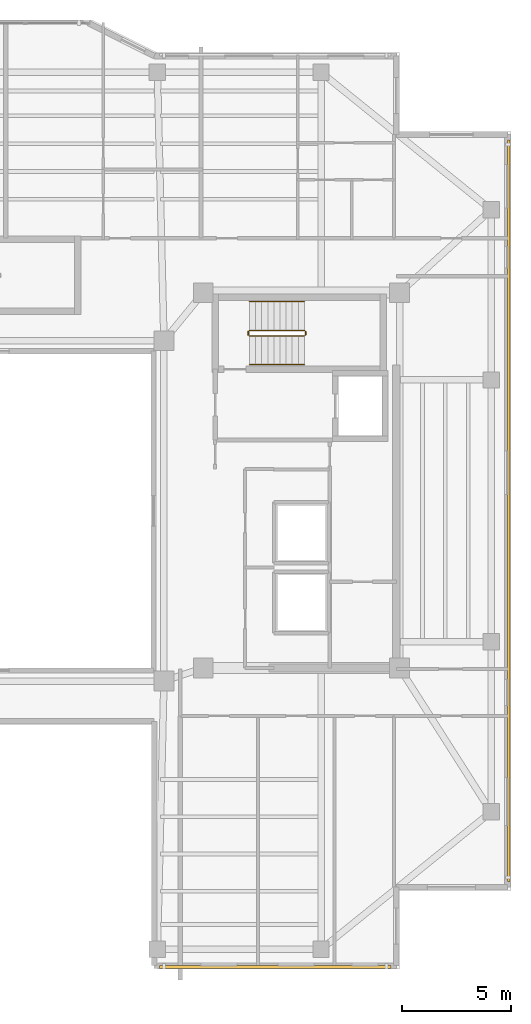
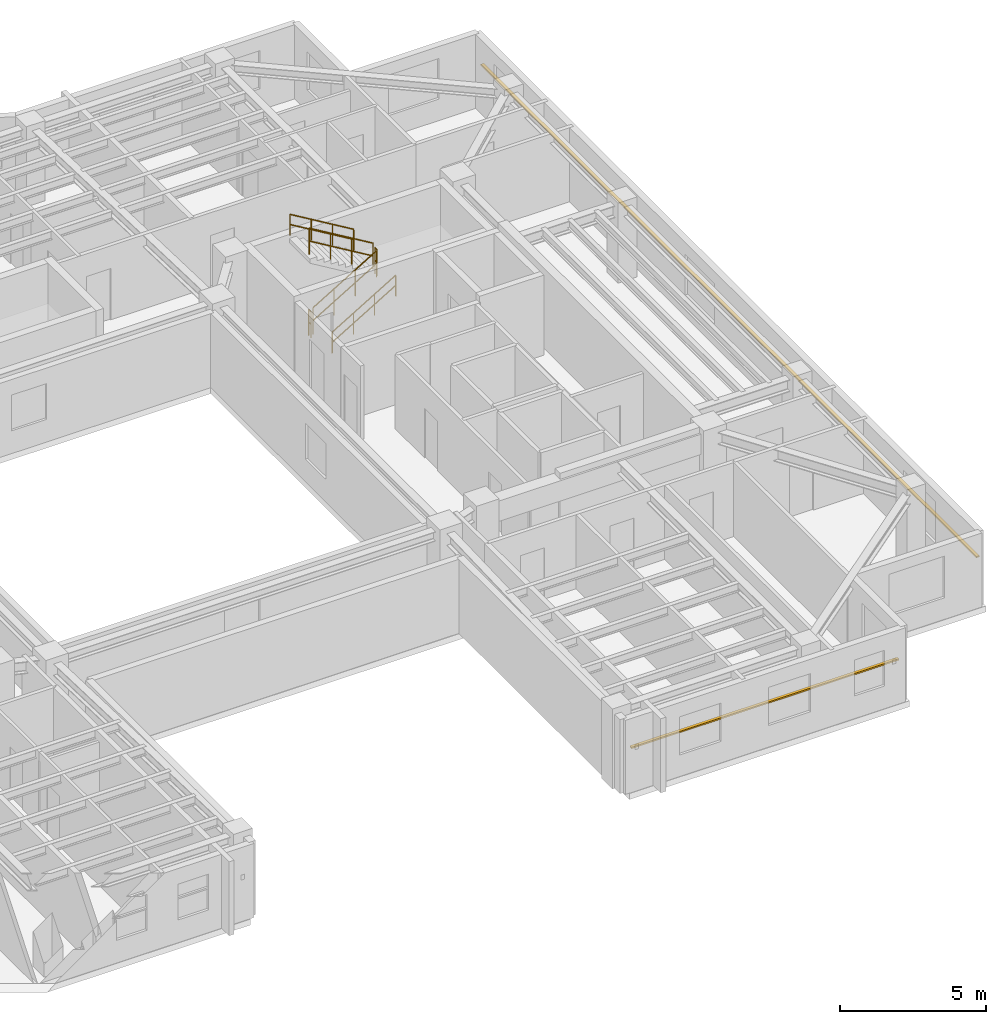
# One storey, part 10 of 11: 6 railings, 2 shading devices.
"""IFC4 building model written with IfcOpenShell, lengths in metres."""

from ifc_helpers import new_model, si_unit, direction, frame, origin, origin_2d, place, context, subcontext, project, spatial, rectangle, circle, extrude, material, material_profile, profile_set, type_object, element, save


model = new_model("IFC4")

# Units and contexts
model_context = context("Model", 3, precision=1e-05, world=origin(), true_north=direction((0.0, 1.0)))
body_context = subcontext(model_context, "Body", "Model", "MODEL_VIEW")
ifc_project = project(units=[si_unit("LENGTHUNIT", "METRE"), si_unit("AREAUNIT", "SQUARE_METRE"), si_unit("VOLUMEUNIT", "CUBIC_METRE"), si_unit("PLANEANGLEUNIT", "RADIAN"), si_unit("MASSUNIT", "GRAM", prefix="KILO")], contexts=[model_context])

# Site, building, storey
site_placement = place(None, origin())
site = spatial("IfcSite", under=ifc_project, at=site_placement, CompositionType="ELEMENT")
building_placement = place(site_placement, origin())
building = spatial("IfcBuilding", under=site, at=building_placement, Name="Tarnavaz Court Tower", CompositionType="ELEMENT")
storey_placement = place(building_placement, frame((0.0, 0.0, 217.050048828125)))
storey = spatial("IfcBuildingStorey", under=building, at=storey_placement, Name="L59", CompositionType="ELEMENT", Elevation=217.050048828125)

# Railings
ifc_material_1 = material(Name="Brushed Stainless Steel", Category="steel")
railing_type_1 = type_object("IfcRailingType", Name="RL-HANDRAIL-900", PredefinedType="HANDRAIL", material=ifc_material_1)
railing_1_placement = place(storey_placement, frame((11.719970703125, 6.699951171875, 0.16748046875)))
element("IfcRailing", 1, at=railing_1_placement, inside=storey, type_object=railing_type_1, Name="L59 ST-E1 stair handrail 1", PredefinedType="HANDRAIL", context=body_context, shape_type="SweptSolid", body=[
    extrude(circle(Radius=0.02392578125, at=origin_2d()), frame((0.0, 0.0, 0.8759765625), z_axis=(0.858159760407, 0.0, 0.513382728203), x_axis=(0.0, 1.0, 0.0)), (0.0, 0.0, 1.0), 2.9365234375),
    extrude(circle(Radius=0.02392578125, at=origin_2d()), frame((0.0, 0.0, 0.449951171875), z_axis=(0.858159760407, 0.0, 0.513382728203), x_axis=(0.0, 1.0, 0.0)), (0.0, 0.0, 1.0), 2.9365234375),
    extrude(circle(Radius=0.02099609375, at=origin_2d()), origin(), (0.0, 0.0, 1.0), 0.851806640625),
    extrude(circle(Radius=0.02099609375, at=origin_2d()), frame((0.840087890625, 0.0, 0.50244140625)), (0.0, 0.0, 1.0), 0.851806640625),
    extrude(circle(Radius=0.02099609375, at=origin_2d()), frame((1.679931640625, 0.0, 1.005126953125)), (0.0, 0.0, 1.0), 0.851806640625),
    extrude(circle(Radius=0.02099609375, at=origin_2d()), frame((2.52001953125, 0.0, 1.507568359375)), (0.0, 0.0, 1.0), 0.851806640625),
])
railing_2_placement = place(storey_placement, frame((14.239990234375, 9.590087890625, 1.842529296875)))
element("IfcRailing", 2, at=railing_2_placement, inside=storey, type_object=railing_type_1, Name="L59 ST-E1 stair handrail 2", PredefinedType="HANDRAIL", context=body_context, shape_type="SweptSolid", body=[
    extrude(circle(Radius=0.02392578125, at=origin_2d()), frame((0.0, 0.0, 0.8759765625), z_axis=(-0.858196387827, 0.0, 0.513321497621), x_axis=(0.0, -1.0, 0.0)), (0.0, 0.0, 1.0), 2.9365234375),
    extrude(circle(Radius=0.02392578125, at=origin_2d()), frame((0.0, 0.0, 0.449951171875), z_axis=(-0.858196387827, 0.0, 0.513321497621), x_axis=(0.0, -1.0, 0.0)), (0.0, 0.0, 1.0), 2.9365234375),
    extrude(circle(Radius=0.02099609375, at=origin_2d()), origin(), (0.0, 0.0, 1.0), 0.851806640625),
    extrude(circle(Radius=0.02099609375, at=origin_2d()), frame((-0.840087890625, 0.0, 0.50244140625)), (0.0, 0.0, 1.0), 0.851806640625),
    extrude(circle(Radius=0.02099609375, at=origin_2d()), frame((-1.679931640625, 0.0, 1.0048828125)), (0.0, 0.0, 1.0), 0.851806640625),
    extrude(circle(Radius=0.02099609375, at=origin_2d()), frame((-2.52001953125, 0.0, 1.50732421875)), (0.0, 0.0, 1.0), 0.851806640625),
])
ifc_material_2 = material(Name="Galvanized Painted Tubular Steel", Category="steel")
railing_type_2 = type_object("IfcRailingType", Name="RL-STGUARD-1120", PredefinedType="GUARDRAIL", material=ifc_material_2)
railing_3_placement = place(storey_placement, frame((11.719970703125, 8.02001953125, 0.16748046875)))
element("IfcRailing", 3, at=railing_3_placement, inside=storey, type_object=railing_type_2, Name="L59 ST-E1 stair guard 1", PredefinedType="GUARDRAIL", context=body_context, shape_type="SweptSolid", body=[
    extrude(circle(Radius=0.02392578125, at=origin_2d()), frame((0.0, 0.0, 1.09619140625), z_axis=(0.858159760407, 0.0, 0.513382728203), x_axis=(0.0, 1.0, 0.0)), (0.0, 0.0, 1.0), 2.9365234375),
    extrude(circle(Radius=0.02392578125, at=origin_2d()), frame((0.0, 0.0, 0.56005859375), z_axis=(0.858159760407, 0.0, 0.513382728203), x_axis=(0.0, 1.0, 0.0)), (0.0, 0.0, 1.0), 2.9365234375),
    extrude(circle(Radius=0.02099609375, at=origin_2d()), origin(), (0.0, 0.0, 1.0), 1.072021484375),
    extrude(circle(Radius=0.02099609375, at=origin_2d()), frame((0.840087890625, 0.0, 0.50244140625)), (0.0, 0.0, 1.0), 1.072021484375),
    extrude(circle(Radius=0.02099609375, at=origin_2d()), frame((1.679931640625, 0.0, 1.005126953125)), (0.0, 0.0, 1.0), 1.072021484375),
    extrude(circle(Radius=0.02099609375, at=origin_2d()), frame((2.52001953125, 0.0, 1.507568359375)), (0.0, 0.0, 1.0), 1.072021484375),
])
railing_4_placement = place(storey_placement, frame((14.2900390625, 8.070068359375, 1.675048828125)))
element("IfcRailing", 4, at=railing_4_placement, inside=storey, type_object=railing_type_2, Name="L59 ST-E1 stair guard 2", PredefinedType="GUARDRAIL", context=body_context, shape_type="SweptSolid", body=[
    extrude(circle(Radius=0.02392578125, at=origin_2d()), frame((0.0, 0.0, 1.09619140625), z_axis=(0.0, 1.0, 0.0), x_axis=(-1.0, 0.0, 0.0)), (0.0, 0.0, 1.0), 0.14990234375),
    extrude(circle(Radius=0.02392578125, at=origin_2d()), frame((0.0, 0.0, 0.56005859375), z_axis=(0.0, 1.0, 0.0), x_axis=(-1.0, 0.0, 0.0)), (0.0, 0.0, 1.0), 0.14990234375),
    extrude(circle(Radius=0.02099609375, at=origin_2d()), origin(), (0.0, 0.0, 1.0), 1.072021484375),
    extrude(circle(Radius=0.02099609375, at=origin_2d()), frame((0.0, 0.14990234375, 0.0)), (0.0, 0.0, 1.0), 1.072021484375),
])
railing_5_placement = place(storey_placement, frame((14.239990234375, 8.27001953125, 1.842529296875)))
element("IfcRailing", 5, at=railing_5_placement, inside=storey, type_object=railing_type_2, Name="L59 ST-E1 stair guard 3", PredefinedType="GUARDRAIL", context=body_context, shape_type="SweptSolid", body=[
    extrude(circle(Radius=0.02392578125, at=origin_2d()), frame((0.0, 0.0, 1.09619140625), z_axis=(-0.858196387827, 0.0, 0.513321497621), x_axis=(0.0, -1.0, 0.0)), (0.0, 0.0, 1.0), 2.9365234375),
    extrude(circle(Radius=0.02392578125, at=origin_2d()), frame((0.0, 0.0, 0.56005859375), z_axis=(-0.858196387827, 0.0, 0.513321497621), x_axis=(0.0, -1.0, 0.0)), (0.0, 0.0, 1.0), 2.9365234375),
    extrude(circle(Radius=0.02099609375, at=origin_2d()), origin(), (0.0, 0.0, 1.0), 1.072021484375),
    extrude(circle(Radius=0.02099609375, at=origin_2d()), frame((-0.840087890625, 0.0, 0.50244140625)), (0.0, 0.0, 1.0), 1.072021484375),
    extrude(circle(Radius=0.02099609375, at=origin_2d()), frame((-1.679931640625, 0.0, 1.0048828125)), (0.0, 0.0, 1.0), 1.072021484375),
    extrude(circle(Radius=0.02099609375, at=origin_2d()), frame((-2.52001953125, 0.0, 1.50732421875)), (0.0, 0.0, 1.0), 1.072021484375),
])
railing_6_placement = place(storey_placement, frame((11.669921875, 8.070068359375, 0.0)))
element("IfcRailing", 6, at=railing_6_placement, inside=storey, type_object=railing_type_2, Name="L59 ST-E1 stair guard 4", PredefinedType="GUARDRAIL", context=body_context, shape_type="SweptSolid", body=[
    extrude(circle(Radius=0.02392578125, at=origin_2d()), frame((0.0, 0.0, 1.09619140625), z_axis=(0.0, 1.0, 0.0), x_axis=(-1.0, 0.0, 0.0)), (0.0, 0.0, 1.0), 0.14990234375),
    extrude(circle(Radius=0.02392578125, at=origin_2d()), frame((0.0, 0.0, 0.56005859375), z_axis=(0.0, 1.0, 0.0), x_axis=(-1.0, 0.0, 0.0)), (0.0, 0.0, 1.0), 0.14990234375),
    extrude(circle(Radius=0.02099609375, at=origin_2d()), origin(), (0.0, 0.0, 1.0), 1.072021484375),
    extrude(circle(Radius=0.02099609375, at=origin_2d()), frame((0.0, 0.14990234375, 0.0)), (0.0, 0.0, 1.0), 1.072021484375),
])

# Shading devices
ifc_material_3 = material(Name="Kiln-Fired Khorasan Terracotta Ceramic", Category="masonry")
ifc_material_profile = material_profile(ifc_material_3, rectangle(XDim=0.1201171875, YDim=0.06005859375, at=origin_2d()), Name="TC BAGUETTE 120X60")
ifc_profile_set = profile_set([ifc_material_profile], Name="Kiln-Fired Khorasan Terracotta Ceramic")
shading_device_type = type_object("IfcShadingDeviceType", Name="SD-BAG-120", PredefinedType="USERDEFINED", material=ifc_profile_set)
shading_device_1_placement = place(storey_placement, frame((23.610107421875, 17.0, 1.849853515625), z_axis=(0.0, -1.0, 0.0), x_axis=(1.0, 0.0, 0.0)))
element("IfcShadingDevice", 7, at=shading_device_1_placement, inside=storey, type_object=shading_device_type, Name="L59 Terracotta Baguette Screen FBG12", ObjectType="BAGUETTE", PredefinedType="USERDEFINED", context=body_context, shape_type="SweptSolid", body=[
    extrude(rectangle(XDim=0.1201171875, YDim=0.06005859375, at=origin_2d()), origin(), (0.0, 0.0, 1.0), 34.0),
])
shading_device_2_placement = place(storey_placement, frame((18.199951171875, -20.909912109375, 1.849853515625), z_axis=(-1.0, 0.0, 0.0), x_axis=(0.0, -1.0, 0.0)))
element("IfcShadingDevice", 8, at=shading_device_2_placement, inside=storey, type_object=shading_device_type, Name="L59 Terracotta Baguette Screen FBG15", ObjectType="BAGUETTE", PredefinedType="USERDEFINED", context=body_context, shape_type="SweptSolid", body=[
    extrude(rectangle(XDim=0.1201171875, YDim=0.06005859375, at=origin_2d()), origin(), (0.0, 0.0, 1.0), 10.599853515625),
])

save(model, "model.ifc")
